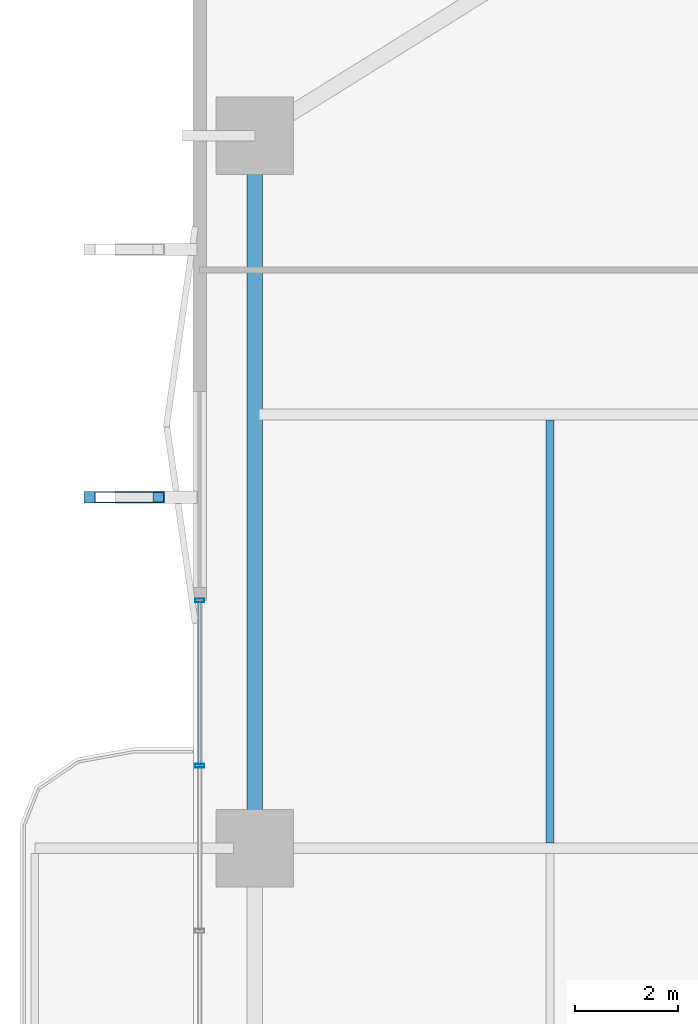
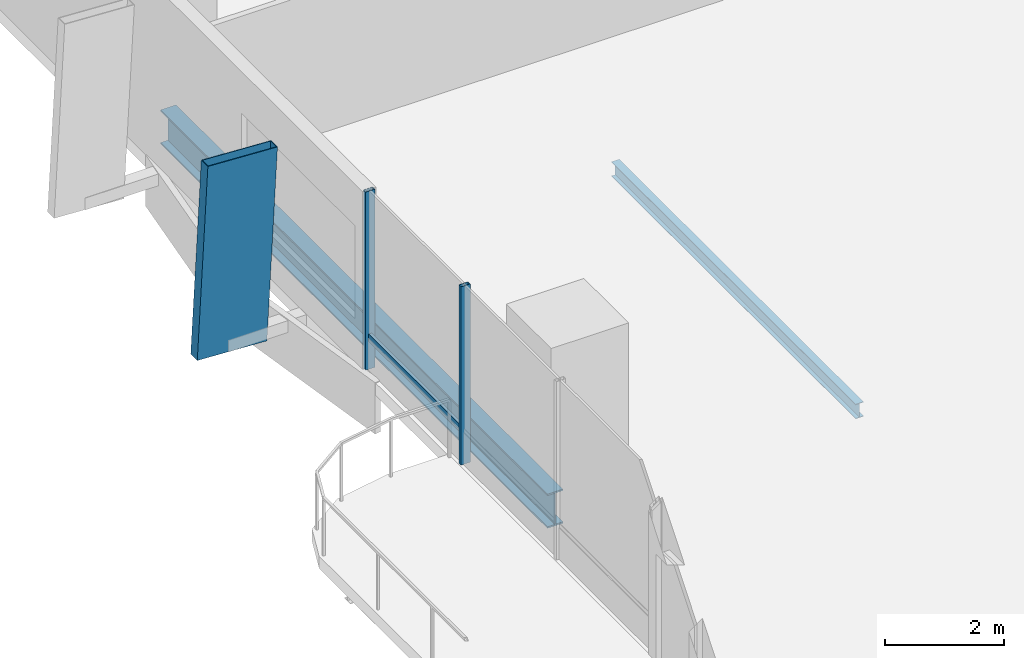
# One storey, part 9 of 24: 4 members, 2 beams, 1 element without a shape of its own.
"""IFC4 building model written with IfcOpenShell, lengths in metres."""

from ifc_helpers import new_model, si_unit, direction, frame, origin, origin_2d, place, context, subcontext, project, spatial, hollow_rectangle, i_section, extrude, material, layer, layer_set, material_profile, profile_set, type_object, element, aggregate, save


model = new_model("IFC4")

# Units and contexts
model_context = context("Model", 3, precision=1e-05, world=origin(), true_north=direction((0.0, 1.0)))
body_context = subcontext(model_context, "Body", "Model", "MODEL_VIEW")
ifc_project = project(units=[si_unit("LENGTHUNIT", "METRE"), si_unit("AREAUNIT", "SQUARE_METRE"), si_unit("VOLUMEUNIT", "CUBIC_METRE"), si_unit("PLANEANGLEUNIT", "RADIAN"), si_unit("MASSUNIT", "GRAM", prefix="KILO")], contexts=[model_context])

# Site, building, storey
site_placement = place(None, origin())
site = spatial("IfcSite", under=ifc_project, at=site_placement, CompositionType="ELEMENT")
building_placement = place(site_placement, origin())
building = spatial("IfcBuilding", under=site, at=building_placement, Name="Belovzor Exchange Tower", CompositionType="ELEMENT")
storey_placement = place(building_placement, frame((0.0, 0.0, 69.0)))
storey = spatial("IfcBuildingStorey", under=building, at=storey_placement, Name="L16", CompositionType="ELEMENT", Elevation=69.0)

# Member
ifc_material_1 = material(Name="Extruded Architectural Terracotta on Steel S355 Carrier", Category="masonry")
ifc_material_profile_1 = material_profile(ifc_material_1, hollow_rectangle(XDim=0.219970703125, YDim=1.35009765625, WallThickness=0.013916015625, at=origin_2d()))
ifc_profile_set_1 = profile_set([ifc_material_profile_1], Name="Extruded Architectural Terracotta on Steel S355 Carrier")
member_type_1 = type_object("IfcMemberType", Name="Base Arc Sweeping Terracotta Pylon Fin 1450", PredefinedType="USERDEFINED", material=ifc_profile_set_1)
member_1_placement = place(storey_placement, frame((-0.531982421875, 35.60009765625, -0.25), z_axis=(0.052512896371, 0.0, 0.998620245997), x_axis=(0.0, 1.0, 0.0)))
element("IfcMember", 1, at=member_1_placement, inside=storey, type_object=member_type_1, Name="FIN-TC145 Terracotta Facade Fin L16 W3", ObjectType="FIN", PredefinedType="USERDEFINED", context=body_context, shape_type="SweptSolid", body=[
    extrude(hollow_rectangle(XDim=0.219970703125, YDim=1.35009765625, WallThickness=0.013916015625, at=origin_2d()), origin(), (0.0, 0.0, 1.0), 3.9052734375),
])

# Beam
ifc_material_2 = material(Name="Steel S355", Category="steel")
ifc_material_profile_2 = material_profile(ifc_material_2, i_section(OverallWidth=0.14990234375, OverallDepth=0.300048828125, WebThickness=0.007080078125, FlangeThickness=0.0107421875, at=origin_2d()))
ifc_profile_set_2 = profile_set([ifc_material_profile_2], Name="Steel S355")
beam_type_1 = type_object("IfcBeamType", Name="Secondary Trim Floor Joist IPE 300", PredefinedType="BEAM", material=ifc_profile_set_2)
beam_1_placement = place(storey_placement, frame((7.81494140625, 28.905029296875, -0.39990234375), z_axis=(0.0, 1.0, 0.0), x_axis=(-1.0, 0.0, 0.0)))
element("IfcBeam", 2, at=beam_1_placement, inside=storey, type_object=beam_type_1, Name="FJ-300 Secondary Trim Floor Joist IPE 300", PredefinedType="BEAM", context=body_context, shape_type="SweptSolid", body=[
    extrude(i_section(OverallWidth=0.14990234375, OverallDepth=0.300048828125, WebThickness=0.007080078125, FlangeThickness=0.0107421875, at=origin_2d()), origin(), (0.0, 0.0, 1.0), 8.18994140625),
])

# Curtain wall, members
ifc_material_3 = material(Name="Anodised Aluminium Framing", Category="aluminium")
ifc_layer = layer(ifc_material_3, 0.179931640625)
ifc_layer_set = layer_set([ifc_layer], Name="Anodised Aluminium Framing")
curtain_wall_type = type_object("IfcCurtainWallType", Name="Recessed Loggia Low-Iron Triple-Glazed Curtain Wall", PredefinedType="NOTDEFINED", material=ifc_layer_set)
curtain_wall_placement = place(storey_placement, origin())
curtain_wall = element("IfcCurtainWall", 3, at=curtain_wall_placement, inside=storey, type_object=curtain_wall_type, Name="CW3 Recessed Loggia Low-Iron Triple-Glazed Curtain Wall L16", PredefinedType="NOTDEFINED")
ifc_material_4 = material(Name="Steel S355", Category="steel")
ifc_material_profile_3 = material_profile(ifc_material_4, hollow_rectangle(XDim=0.074951171875, YDim=0.179931640625, WallThickness=0.0048828125, at=origin_2d()))
ifc_profile_set_3 = profile_set([ifc_material_profile_3], Name="Steel S355")
member_type_2 = type_object("IfcMemberType", Name="Thermally Broken Curtain Wall Mullion 180x75", PredefinedType="MULLION", material=ifc_profile_set_3)
member_2_placement = place(storey_placement, frame((1.030029296875, 30.39990234375, 0.0), z_axis=(0.0, 0.0, 1.0), x_axis=(0.0, 1.0, 0.0)))
member_2 = element("IfcMember", 4, at=member_2_placement, type_object=member_type_2, Name="CW-M180 Curtain Wall Mullion 3", PredefinedType="MULLION", context=body_context, shape_type="SweptSolid", body=[
    extrude(hollow_rectangle(XDim=0.074951171875, YDim=0.179931640625, WallThickness=0.0048828125, at=origin_2d()), origin(), (0.0, 0.0, 1.0), 3.64990234375),
])
member_3_placement = place(storey_placement, frame((1.030029296875, 33.60009765625, 0.0), z_axis=(0.0, 0.0, 1.0), x_axis=(0.0, 1.0, 0.0)))
member_3 = element("IfcMember", 5, at=member_3_placement, type_object=member_type_2, Name="CW-M180 Curtain Wall Mullion 4", PredefinedType="MULLION", context=body_context, shape_type="SweptSolid", body=[
    extrude(hollow_rectangle(XDim=0.074951171875, YDim=0.179931640625, WallThickness=0.0048828125, at=origin_2d()), origin(), (0.0, 0.0, 1.0), 3.64990234375),
])
ifc_material_5 = material(Name="Steel S355", Category="steel")
ifc_material_profile_4 = material_profile(ifc_material_5, hollow_rectangle(XDim=0.06005859375, YDim=0.14990234375, WallThickness=0.00390625, at=origin_2d()))
ifc_profile_set_4 = profile_set([ifc_material_profile_4], Name="Steel S355")
member_type_3 = type_object("IfcMemberType", Name="Thermally Broken Curtain Wall Transom 150x60", PredefinedType="USERDEFINED", material=ifc_profile_set_4)
member_4_placement = place(storey_placement, frame((1.030029296875, 30.407958984375, 0.64990234375), z_axis=(0.0, 1.0, 0.0), x_axis=(-1.0, 0.0, 0.0)))
member_4 = element("IfcMember", 6, at=member_4_placement, type_object=member_type_3, Name="CW-T150 Curtain Wall Transom 3", ObjectType="TRANSOM", PredefinedType="USERDEFINED", context=body_context, shape_type="SweptSolid", body=[
    extrude(hollow_rectangle(XDim=0.06005859375, YDim=0.14990234375, WallThickness=0.00390625, at=origin_2d()), origin(), (0.0, 0.0, 1.0), 3.18408203125),
])
aggregate(curtain_wall, [member_2, member_3, member_4])

# Beam
ifc_material_6 = material(Name="Steel S355", Category="steel")
ifc_material_profile_5 = material_profile(ifc_material_6, i_section(OverallWidth=0.300048828125, OverallDepth=0.699951171875, WebThickness=0.01708984375, FlangeThickness=0.031982421875, at=origin_2d()))
ifc_profile_set_5 = profile_set([ifc_material_profile_5], Name="Steel S355")
beam_type_2 = type_object("IfcBeamType", Name="Zone 1 Primary Perimeter Girder HEB 700", PredefinedType="BEAM", material=ifc_profile_set_5)
beam_2_placement = place(storey_placement, frame((2.10009765625, 42.18798828125, -0.60009765625), z_axis=(0.0, -1.0, 0.0), x_axis=(1.0, 0.0, 0.0)))
element("IfcBeam", 7, at=beam_2_placement, inside=storey, type_object=beam_type_2, Name="FG-Z1 Zone 1 Primary Perimeter Girder HEB 700", PredefinedType="BEAM", context=body_context, shape_type="SweptSolid", body=[
    extrude(i_section(OverallWidth=0.300048828125, OverallDepth=0.699951171875, WebThickness=0.01708984375, FlangeThickness=0.031982421875, at=origin_2d()), origin(), (0.0, 0.0, 1.0), 12.97509765625),
])

save(model, "model.ifc")
